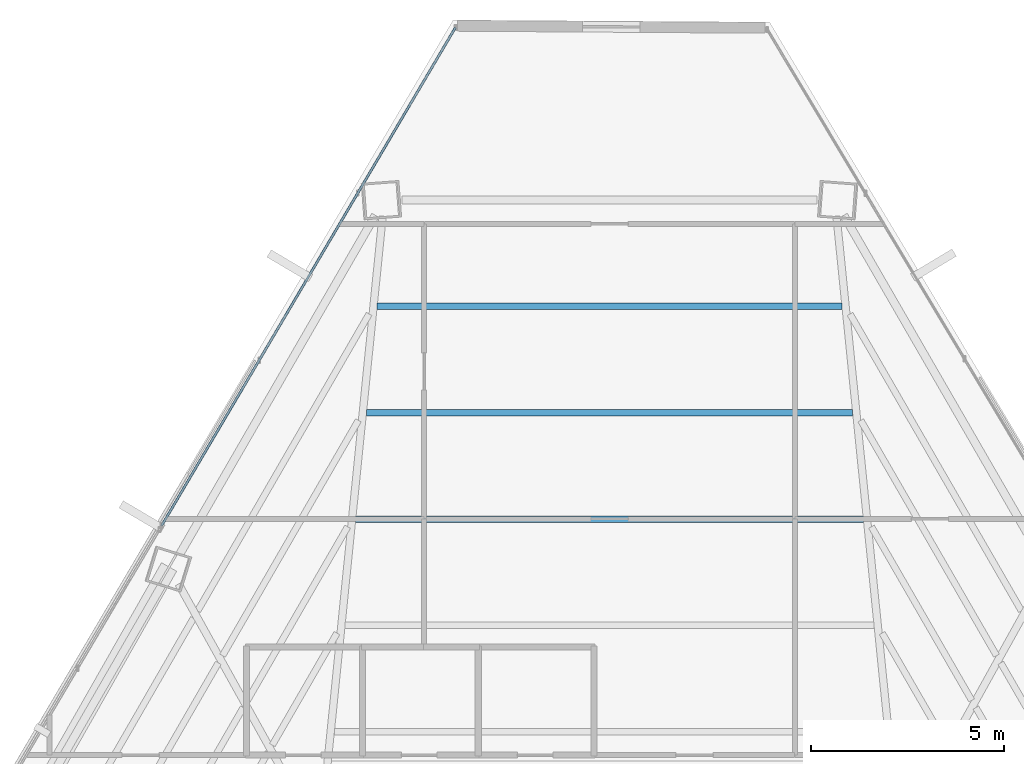
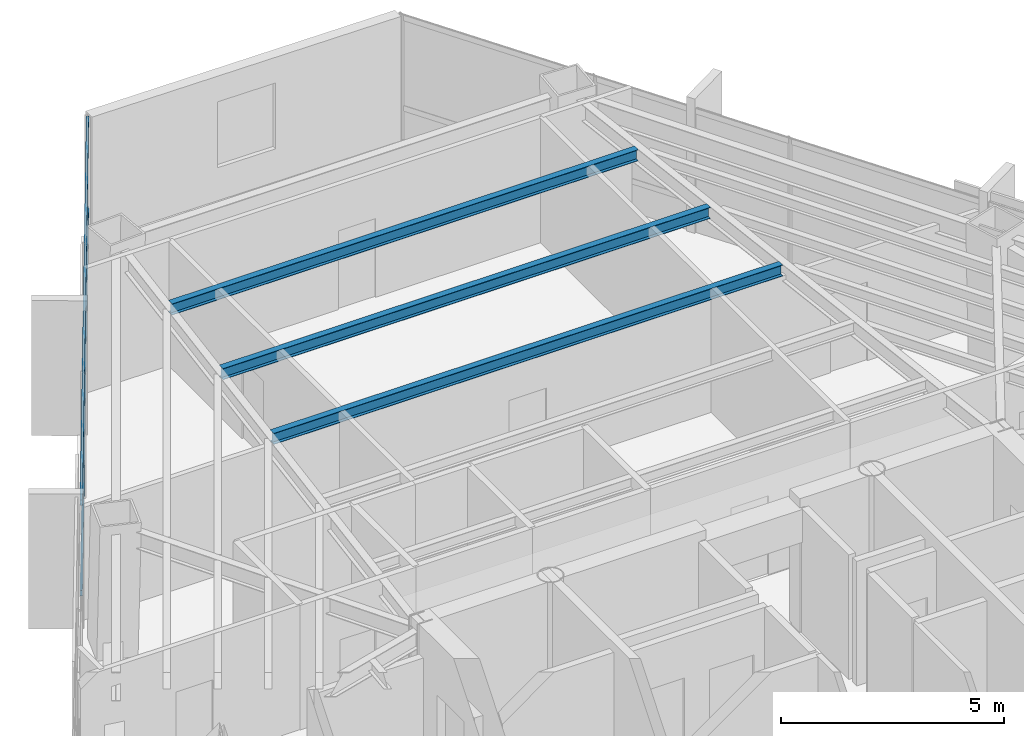
# One storey, part 29 of 41: 3 beams, 2 members, 1 element without a shape of its own.
"""IFC4 building model written with IfcOpenShell, lengths in metres."""

from ifc_helpers import new_model, si_unit, direction, frame, origin, origin_2d, place, context, subcontext, project, spatial, hollow_rectangle, i_section, extrude, source, transform, mapped, material, material_profile, profile_set, type_object, type_shapes, element, aggregate, save


model = new_model("IFC4")

# Units and contexts
model_context = context("Model", 3, precision=1e-05, world=origin(), true_north=direction((0.0, 1.0)))
body_context = subcontext(model_context, "Body", "Model", "MODEL_VIEW")
ifc_project = project(units=[si_unit("LENGTHUNIT", "METRE"), si_unit("AREAUNIT", "SQUARE_METRE"), si_unit("VOLUMEUNIT", "CUBIC_METRE"), si_unit("PLANEANGLEUNIT", "RADIAN"), si_unit("MASSUNIT", "GRAM", prefix="KILO")], contexts=[model_context])

# Site, building, storey
site_placement = place(None, origin())
site = spatial("IfcSite", under=ifc_project, at=site_placement, CompositionType="ELEMENT")
building_placement = place(site_placement, origin())
building = spatial("IfcBuilding", under=site, at=building_placement, Name="Caelisora Broadcast Tower", CompositionType="ELEMENT")
storey_placement = place(building_placement, frame((0.0, 0.0, 169.449951171875)))
storey = spatial("IfcBuildingStorey", under=building, at=storey_placement, Name="L44", CompositionType="ELEMENT", Elevation=169.449951171875)

# Beams
ifc_material_1 = material(Name="Steel Grade 350 (AS/NZS 3679.1)", Category="steel")
ifc_material_profile_1 = material_profile(ifc_material_1, i_section(OverallWidth=0.166015625, OverallDepth=0.30712890625, WebThickness=0.006591796875, FlangeThickness=0.01171875, at=origin_2d()), Name="Steel Grade 350 (AS/NZS 3679.1)")
ifc_profile_set_1 = profile_set([ifc_material_profile_1], Name="Steel Grade 350 (AS/NZS 3679.1)")
beam_type = type_object("IfcBeamType", Name="SB03", PredefinedType="JOIST", material=ifc_profile_set_1)
shared_shape_1 = source(origin(), body_context, "Body", "SweptSolid", [
    extrude(i_section(OverallWidth=0.166015625, OverallDepth=0.30712890625, WebThickness=0.006591796875, FlangeThickness=0.01171875, at=origin_2d()), origin(), (0.0, 0.0, 1.0), 13.14990234375),
])
beam_1_placement = place(storey_placement, frame((44.574951171875, 38.263916015625, 3.246337890625), z_axis=(-1.0, 0.0, 0.0), x_axis=(0.0, -1.0, 0.0)))
element("IfcBeam", 1, at=beam_1_placement, inside=storey, type_object=beam_type, Name="L44 beam SB03", PredefinedType="JOIST", context=body_context, shape_type="MappedRepresentation", body=[
    mapped(shared_shape_1, transform((0.0, 0.0, 0.0), scale=1.0)),
])
shared_shape_2 = source(origin(), body_context, "Body", "SweptSolid", [
    extrude(i_section(OverallWidth=0.166015625, OverallDepth=0.30712890625, WebThickness=0.006591796875, FlangeThickness=0.01171875, at=origin_2d()), origin(), (0.0, 0.0, 1.0), 12.59521484375),
])
beam_2_placement = place(storey_placement, frame((44.297607421875, 41.018798828125, 3.246337890625), z_axis=(-1.0, 0.0, 0.0), x_axis=(0.0, -1.0, 0.0)))
element("IfcBeam", 2, at=beam_2_placement, inside=storey, type_object=beam_type, Name="L44 beam SB03", PredefinedType="JOIST", context=body_context, shape_type="MappedRepresentation", body=[
    mapped(shared_shape_2, transform((0.0, 0.0, 0.0), scale=1.0)),
])
shared_shape_3 = source(origin(), body_context, "Body", "SweptSolid", [
    extrude(i_section(OverallWidth=0.166015625, OverallDepth=0.30712890625, WebThickness=0.006591796875, FlangeThickness=0.01171875, at=origin_2d()), origin(), (0.0, 0.0, 1.0), 12.04052734375),
])
type_shapes(beam_type, [shared_shape_1, shared_shape_2, shared_shape_3])
beam_3_placement = place(storey_placement, frame((44.020263671875, 43.7734375, 3.246337890625), z_axis=(-1.0, 0.0, 0.0), x_axis=(0.0, -1.0, 0.0)))
element("IfcBeam", 3, at=beam_3_placement, inside=storey, type_object=beam_type, Name="L44 beam SB03", PredefinedType="JOIST", context=body_context, shape_type="MappedRepresentation", body=[
    mapped(shared_shape_3, transform((0.0, 0.0, 0.0), scale=1.0)),
])

# Curtain wall, members
ifc_material_2 = material(Name="Unitised Aluminium and Low-E Glass Curtain Wall", Category="glass")
curtain_wall_type = type_object("IfcCurtainWallType", Name="CW-Z3", PredefinedType="NOTDEFINED", material=ifc_material_2)
curtain_wall_placement = place(storey_placement, origin())
curtain_wall = element("IfcCurtainWall", 4, at=curtain_wall_placement, inside=storey, type_object=curtain_wall_type, Name="L44 curtain wall CW-Z3", PredefinedType="NOTDEFINED")
ifc_material_3 = material(Name="Aluminium 6063-T6 Anodised Terracotta Bronze", Category="aluminium")
ifc_material_profile_2 = material_profile(ifc_material_3, hollow_rectangle(XDim=0.06005859375, YDim=0.14990234375, WallThickness=0.00341796875, at=origin_2d()), Name="Aluminium 6063-T6 Anodised Terracotta Bronze")
ifc_profile_set_2 = profile_set([ifc_material_profile_2], Name="Aluminium 6063-T6 Anodised Terracotta Bronze")
member_type = type_object("IfcMemberType", Name="CWT-02", PredefinedType="USERDEFINED", material=ifc_profile_set_2)
shared_shape_4 = source(origin(), body_context, "Body", "SweptSolid", [
    extrude(hollow_rectangle(XDim=0.06005859375, YDim=0.14990234375, WallThickness=0.00341796875, at=origin_2d()), origin(), (0.0, 0.0, 1.0), 14.982177734375),
])
type_shapes(member_type, [shared_shape_4])
member_1_placement = place(storey_placement, frame((26.3974609375, 38.08984375, 0.85009765625), z_axis=(0.508006100351, 0.861353471001, 0.0), x_axis=(-0.861353471001, 0.508006100351, 0.0)))
member_1 = element("IfcMember", 5, at=member_1_placement, type_object=member_type, Name="L44-CW-B11 transom #1", ObjectType="TRANSOM", PredefinedType="USERDEFINED", context=body_context, shape_type="MappedRepresentation", body=[
    mapped(shared_shape_4, transform((0.0, 0.0, 0.0), scale=1.0)),
])
member_2_placement = place(storey_placement, frame((26.3974609375, 38.08984375, 3.320068359375), z_axis=(0.508006100351, 0.861353471001, 0.0), x_axis=(-0.861353471001, 0.508006100351, 0.0)))
member_2 = element("IfcMember", 6, at=member_2_placement, type_object=member_type, Name="L44-CW-B11 transom #2", ObjectType="TRANSOM", PredefinedType="USERDEFINED", context=body_context, shape_type="MappedRepresentation", body=[
    mapped(shared_shape_4, transform((0.0, 0.0, 0.0), scale=1.0)),
])
aggregate(curtain_wall, [member_1, member_2])

save(model, "model.ifc")
